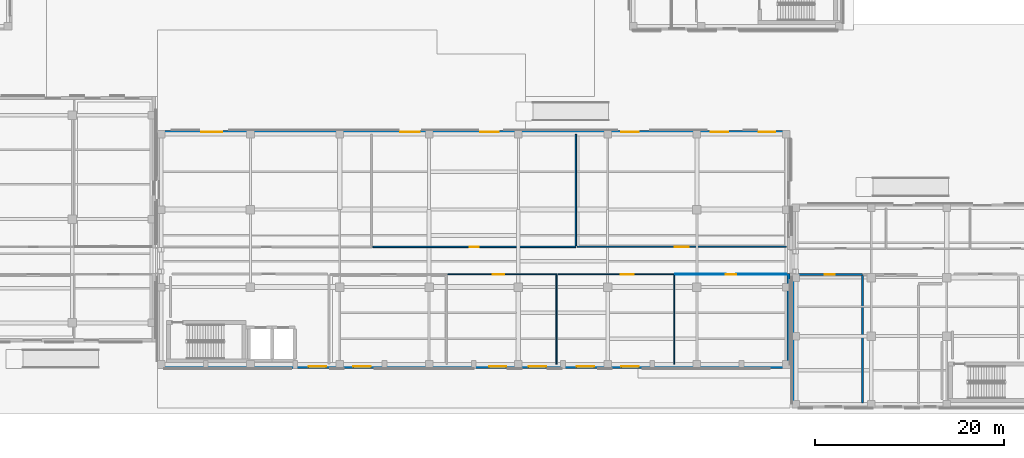
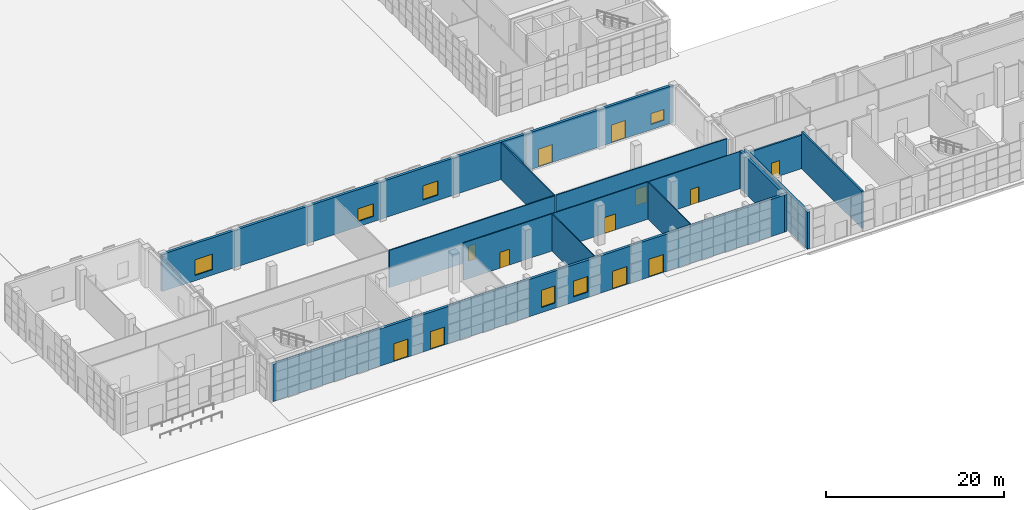
# One storey, part 10 of 40: 14 walls, 12 doors, 6 windows, 18 openings.
"""IFC4 building model written with IfcOpenShell, lengths in metres."""

from ifc_helpers import new_model, si_unit, direction, frame, frame_2d, origin, place, context, subcontext, project, spatial, rectangle, extrude, material, layer, layer_set, type_object, element, fill, save


model = new_model("IFC4")

# Units and contexts
model_context = context("Model", 3, precision=1e-05, world=origin(), true_north=direction((0.0, 1.0)))
body_context = subcontext(model_context, "Body", "Model", "MODEL_VIEW")
ifc_project = project(units=[si_unit("LENGTHUNIT", "METRE"), si_unit("AREAUNIT", "SQUARE_METRE"), si_unit("VOLUMEUNIT", "CUBIC_METRE"), si_unit("PLANEANGLEUNIT", "RADIAN"), si_unit("MASSUNIT", "GRAM", prefix="KILO")], contexts=[model_context])

# Site, building, storey
site_placement = place(None, origin())
site = spatial("IfcSite", under=ifc_project, at=site_placement, CompositionType="ELEMENT")
building_placement = place(site_placement, origin())
building = spatial("IfcBuilding", under=site, at=building_placement, Name="Qalavern Law Courts", CompositionType="ELEMENT")
storey_placement = place(building_placement, origin())
storey = spatial("IfcBuildingStorey", under=building, at=storey_placement, Name="L00", CompositionType="ELEMENT", Elevation=0.0)

# Wall, openings, doors, windows
ifc_material_1 = material(Name="Concrete C40/50", Category="concrete")
ifc_layer_1 = layer(ifc_material_1, 0.340087890625)
ifc_layer_set_1 = layer_set([ifc_layer_1], Name="Concrete C40/50")
wall_type_1 = type_object("IfcWallType", Name="ENV-EW-340", PredefinedType="SOLIDWALL", material=ifc_layer_set_1)
wall_1_placement = place(storey_placement, frame((34.554931640625, 5.3701171875, 0.0), z_axis=(0.0, 0.0, 1.0), x_axis=(1.0, 0.0, 0.0)))
wall_1 = element("IfcWall", 1, at=wall_1_placement, inside=storey, type_object=wall_type_1, Name="V2 exterior wall L00 south 1", PredefinedType="SOLIDWALL", context=body_context, shape_type="SweptSolid", body=[
    extrude(rectangle(XDim=66.31005859375, YDim=0.340087890625, at=frame_2d((33.155029296875, 0.0))), origin(), (0.0, 0.0, 1.0), 5.10009765625),
])
opening_1_placement = place(wall_1_placement, frame((15.679931640625, 0.0, 0.0)))
opening_1 = element("IfcOpeningElement", 2, at=opening_1_placement, cuts=wall_1, Name="Opening ED-HALL-01", PredefinedType="OPENING", context=body_context, shape_type="SweptSolid", body=[
    extrude(rectangle(XDim=1.85009765625, YDim=2.449951171875, at=frame_2d((0.925048828125, 1.22509765625))), frame((0.0, 0.18505859375, 0.0), z_axis=(0.0, -1.0, 0.0), x_axis=(1.0, 0.0, 0.0)), (0.0, 0.0, 1.0), 0.369873046875),
])
opening_2_placement = place(wall_1_placement, frame((20.409912109375, 0.0, 0.0)))
opening_2 = element("IfcOpeningElement", 3, at=opening_2_placement, cuts=wall_1, Name="Opening ED-HALL-02", PredefinedType="OPENING", context=body_context, shape_type="SweptSolid", body=[
    extrude(rectangle(XDim=1.85009765625, YDim=2.449951171875, at=frame_2d((0.925048828125, 1.22509765625))), frame((0.0, 0.18505859375, 0.0), z_axis=(0.0, -1.0, 0.0), x_axis=(1.0, 0.0, 0.0)), (0.0, 0.0, 1.0), 0.369873046875),
])
opening_3_placement = place(wall_1_placement, frame((44.050048828125, 0.0, 0.0)))
opening_3 = element("IfcOpeningElement", 4, at=opening_3_placement, cuts=wall_1, Name="Opening ED-HALL-03", PredefinedType="OPENING", context=body_context, shape_type="SweptSolid", body=[
    extrude(rectangle(XDim=1.85009765625, YDim=2.449951171875, at=frame_2d((0.925048828125, 1.22509765625))), frame((0.0, 0.18505859375, 0.0), z_axis=(0.0, -1.0, 0.0), x_axis=(1.0, 0.0, 0.0)), (0.0, 0.0, 1.0), 0.369873046875),
])
opening_4_placement = place(wall_1_placement, frame((48.780029296875, 0.0, 0.0)))
opening_4 = element("IfcOpeningElement", 5, at=opening_4_placement, cuts=wall_1, Name="Opening ED-HALL-04", PredefinedType="OPENING", context=body_context, shape_type="SweptSolid", body=[
    extrude(rectangle(XDim=1.85009765625, YDim=2.449951171875, at=frame_2d((0.925048828125, 1.22509765625))), frame((0.0, 0.18505859375, 0.0), z_axis=(0.0, -1.0, 0.0), x_axis=(1.0, 0.0, 0.0)), (0.0, 0.0, 1.0), 0.369873046875),
])
opening_5_placement = place(wall_1_placement, frame((34.800048828125, 0.0, 0.719970703125)))
opening_5 = element("IfcOpeningElement", 6, at=opening_5_placement, cuts=wall_1, Name="Opening WN-35", PredefinedType="OPENING", context=body_context, shape_type="SweptSolid", body=[
    extrude(rectangle(XDim=1.800048828125, YDim=2.35009765625, at=frame_2d((0.89990234375, 1.175048828125))), frame((0.0, 0.18505859375, 0.0), z_axis=(0.0, -1.0, 0.0), x_axis=(1.0, 0.0, 0.0)), (0.0, 0.0, 1.0), 0.369873046875),
])
opening_6_placement = place(wall_1_placement, frame((38.97509765625, 0.0, 0.719970703125)))
opening_6 = element("IfcOpeningElement", 7, at=opening_6_placement, cuts=wall_1, Name="Opening WN-29", PredefinedType="OPENING", context=body_context, shape_type="SweptSolid", body=[
    extrude(rectangle(XDim=1.85009765625, YDim=2.14990234375, at=frame_2d((0.925048828125, 1.074951171875))), frame((0.0, 0.18505859375, 0.0), z_axis=(0.0, -1.0, 0.0), x_axis=(1.0, 0.0, 0.0)), (0.0, 0.0, 1.0), 0.369873046875),
])
ifc_material_2 = material(Name="Thermally broken anodised aluminium and laminated safety glass", Category="aluminium")
door_type_1 = type_object("IfcDoorType", Name="ENV-ED-1850x2450", OperationType="DOUBLE_DOOR_SINGLE_SWING", PredefinedType="DOOR", material=ifc_material_2)
door_1_placement = place(opening_1_placement, frame((1.85009765625, 0.0, 0.0), z_axis=(0.0, 0.0, 1.0), x_axis=(-1.0, 0.0, 0.0)))
door_1 = element("IfcDoor", 8, at=door_1_placement, inside=storey, type_object=door_type_1, Name="Ground pedestrian exit door ED-HALL-01", OperationType="DOUBLE_DOOR_SINGLE_SWING", OverallHeight=2.449951171875, OverallWidth=1.85009765625, PredefinedType="DOOR", context=body_context, shape_type="SweptSolid", body=[
    extrude(rectangle(XDim=1.85009765625, YDim=2.449951171875, at=frame_2d((0.925048828125, 1.22509765625))), frame((0.0, 0.02490234375, 0.0), z_axis=(0.0, -1.0, 0.0), x_axis=(1.0, 0.0, 0.0)), (0.0, 0.0, 1.0), 0.050048828125),
])
fill(opening_1, door_1)
door_2_placement = place(opening_2_placement, frame((1.85009765625, 0.0, 0.0), z_axis=(0.0, 0.0, 1.0), x_axis=(-1.0, 0.0, 0.0)))
door_2 = element("IfcDoor", 9, at=door_2_placement, inside=storey, type_object=door_type_1, Name="Ground pedestrian exit door ED-HALL-02", OperationType="DOUBLE_DOOR_SINGLE_SWING", OverallHeight=2.449951171875, OverallWidth=1.85009765625, PredefinedType="DOOR", context=body_context, shape_type="SweptSolid", body=[
    extrude(rectangle(XDim=1.85009765625, YDim=2.449951171875, at=frame_2d((0.925048828125, 1.22509765625))), frame((0.0, 0.02490234375, 0.0), z_axis=(0.0, -1.0, 0.0), x_axis=(1.0, 0.0, 0.0)), (0.0, 0.0, 1.0), 0.050048828125),
])
fill(opening_2, door_2)
door_3_placement = place(opening_3_placement, frame((1.85009765625, 0.0, 0.0), z_axis=(0.0, 0.0, 1.0), x_axis=(-1.0, 0.0, 0.0)))
door_3 = element("IfcDoor", 10, at=door_3_placement, inside=storey, type_object=door_type_1, Name="Ground pedestrian exit door ED-HALL-03", OperationType="DOUBLE_DOOR_SINGLE_SWING", OverallHeight=2.449951171875, OverallWidth=1.85009765625, PredefinedType="DOOR", context=body_context, shape_type="SweptSolid", body=[
    extrude(rectangle(XDim=1.85009765625, YDim=2.449951171875, at=frame_2d((0.925048828125, 1.22509765625))), frame((0.0, 0.02490234375, 0.0), z_axis=(0.0, -1.0, 0.0), x_axis=(1.0, 0.0, 0.0)), (0.0, 0.0, 1.0), 0.050048828125),
])
fill(opening_3, door_3)
door_4_placement = place(opening_4_placement, frame((1.85009765625, 0.0, 0.0), z_axis=(0.0, 0.0, 1.0), x_axis=(-1.0, 0.0, 0.0)))
door_4 = element("IfcDoor", 11, at=door_4_placement, inside=storey, type_object=door_type_1, Name="Ground pedestrian exit door ED-HALL-04", OperationType="DOUBLE_DOOR_SINGLE_SWING", OverallHeight=2.449951171875, OverallWidth=1.85009765625, PredefinedType="DOOR", context=body_context, shape_type="SweptSolid", body=[
    extrude(rectangle(XDim=1.85009765625, YDim=2.449951171875, at=frame_2d((0.925048828125, 1.22509765625))), frame((0.0, 0.02490234375, 0.0), z_axis=(0.0, -1.0, 0.0), x_axis=(1.0, 0.0, 0.0)), (0.0, 0.0, 1.0), 0.050048828125),
])
fill(opening_4, door_4)
ifc_material_3 = material(Name="Anodised aluminium frame with low-E double glazing", Category="aluminium")
window_type_1 = type_object("IfcWindowType", Name="ENV-WIN-1800x2350", PartitioningType="SINGLE_PANEL", PredefinedType="WINDOW", material=ifc_material_3)
window_1_placement = place(opening_5_placement, origin())
window_1 = element("IfcWindow", 12, at=window_1_placement, inside=storey, type_object=window_type_1, Name="V2 window L00 south 9", OverallHeight=2.35009765625, OverallWidth=1.800048828125, PartitioningType="SINGLE_PANEL", PredefinedType="WINDOW", context=body_context, shape_type="SweptSolid", body=[
    extrude(rectangle(XDim=1.800048828125, YDim=2.35009765625, at=frame_2d((0.89990234375, 1.175048828125))), frame((0.0, 0.030029296875, 0.0), z_axis=(0.0, -1.0, 0.0), x_axis=(1.0, 0.0, 0.0)), (0.0, 0.0, 1.0), 0.06005859375),
])
fill(opening_5, window_1)
window_type_2 = type_object("IfcWindowType", Name="ENV-WIN-1850x2150", PartitioningType="SINGLE_PANEL", PredefinedType="WINDOW", material=ifc_material_3)
window_2_placement = place(opening_6_placement, origin())
window_2 = element("IfcWindow", 13, at=window_2_placement, inside=storey, type_object=window_type_2, Name="V2 window L00 south 10", OverallHeight=2.14990234375, OverallWidth=1.85009765625, PartitioningType="SINGLE_PANEL", PredefinedType="WINDOW", context=body_context, shape_type="SweptSolid", body=[
    extrude(rectangle(XDim=1.85009765625, YDim=2.14990234375, at=frame_2d((0.925048828125, 1.074951171875))), frame((0.0, 0.030029296875, 0.0), z_axis=(0.0, -1.0, 0.0), x_axis=(1.0, 0.0, 0.0)), (0.0, 0.0, 1.0), 0.06005859375),
])
fill(opening_6, window_2)

# Wall
wall_2_placement = place(storey_placement, frame((101.030029296875, 5.199951171875, 0.0), z_axis=(0.0, 0.0, 1.0), x_axis=(0.0, 1.0, 0.0)))
element("IfcWall", 14, at=wall_2_placement, inside=storey, type_object=wall_type_1, Name="V2 exterior wall L00 east 1", PredefinedType="SOLIDWALL", context=body_context, shape_type="SweptSolid", body=[
    extrude(rectangle(XDim=10.050048828125, YDim=0.340087890625, at=frame_2d((5.02490234375, 0.0))), origin(), (0.0, 0.0, 1.0), 5.10009765625),
])

# Wall, openings, doors, windows
wall_3_placement = place(storey_placement, frame((100.864990234375, 30.22998046875, 0.0), z_axis=(0.0, 0.0, 1.0), x_axis=(-1.0, 0.0, 0.0)))
wall_3 = element("IfcWall", 15, at=wall_3_placement, inside=storey, type_object=wall_type_1, Name="V2 exterior wall L00 north 1", PredefinedType="SOLIDWALL", context=body_context, shape_type="SweptSolid", body=[
    extrude(rectangle(XDim=66.31005859375, YDim=0.340087890625, at=frame_2d((33.155029296875, 0.0))), origin(), (0.0, 0.0, 1.0), 5.10009765625),
])
opening_7_placement = place(wall_3_placement, frame((15.679931640625, 0.0, 0.0)))
opening_7 = element("IfcOpeningElement", 16, at=opening_7_placement, cuts=wall_3, Name="Opening ED-COURT-V2A", PredefinedType="OPENING", context=body_context, shape_type="SweptSolid", body=[
    extrude(rectangle(XDim=1.85009765625, YDim=2.449951171875, at=frame_2d((0.925048828125, 1.22509765625))), frame((0.0, 0.18505859375, 0.0), z_axis=(0.0, -1.0, 0.0), x_axis=(1.0, 0.0, 0.0)), (0.0, 0.0, 1.0), 0.369873046875),
])
opening_8_placement = place(wall_3_placement, frame((6.22998046875, 0.0, 0.0)))
opening_8 = element("IfcOpeningElement", 17, at=opening_8_placement, cuts=wall_3, Name="Opening ED-COURT-V2B", PredefinedType="OPENING", context=body_context, shape_type="SweptSolid", body=[
    extrude(rectangle(XDim=1.85009765625, YDim=2.449951171875, at=frame_2d((0.925048828125, 1.22509765625))), frame((0.0, 0.18505859375, 0.0), z_axis=(0.0, -1.0, 0.0), x_axis=(1.0, 0.0, 0.0)), (0.0, 0.0, 1.0), 0.369873046875),
])
opening_9_placement = place(wall_3_placement, frame((1.25, 0.0, 0.719970703125)))
opening_9 = element("IfcOpeningElement", 18, at=opening_9_placement, cuts=wall_3, Name="Opening WN-05", PredefinedType="OPENING", context=body_context, shape_type="SweptSolid", body=[
    extrude(rectangle(XDim=1.699951171875, YDim=1.5, at=frame_2d((0.85009765625, 0.75))), frame((0.0, 0.18505859375, 0.0), z_axis=(0.0, -1.0, 0.0), x_axis=(1.0, 0.0, 0.0)), (0.0, 0.0, 1.0), 0.369873046875),
])
opening_10_placement = place(wall_3_placement, frame((30.52490234375, 0.0, 0.719970703125)))
opening_10 = element("IfcOpeningElement", 19, at=opening_10_placement, cuts=wall_3, Name="Opening WN-22", PredefinedType="OPENING", context=body_context, shape_type="SweptSolid", body=[
    extrude(rectangle(XDim=1.949951171875, YDim=1.949951171875, at=frame_2d((0.97509765625, 0.97509765625))), frame((0.0, 0.18505859375, 0.0), z_axis=(0.0, -1.0, 0.0), x_axis=(1.0, 0.0, 0.0)), (0.0, 0.0, 1.0), 0.369873046875),
])
opening_11_placement = place(wall_3_placement, frame((38.875, 0.0, 0.719970703125)))
opening_11 = element("IfcOpeningElement", 20, at=opening_11_placement, cuts=wall_3, Name="Opening WN-15", PredefinedType="OPENING", context=body_context, shape_type="SweptSolid", body=[
    extrude(rectangle(XDim=2.050048828125, YDim=1.75, at=frame_2d((1.02490234375, 0.875))), frame((0.0, 0.18505859375, 0.0), z_axis=(0.0, -1.0, 0.0), x_axis=(1.0, 0.0, 0.0)), (0.0, 0.0, 1.0), 0.369873046875),
])
opening_12_placement = place(wall_3_placement, frame((59.77490234375, 0.0, 0.719970703125)))
opening_12 = element("IfcOpeningElement", 21, at=opening_12_placement, cuts=wall_3, Name="Opening WN-31", PredefinedType="OPENING", context=body_context, shape_type="SweptSolid", body=[
    extrude(rectangle(XDim=2.25, YDim=2.14990234375, at=frame_2d((1.125, 1.074951171875))), frame((0.0, 0.18505859375, 0.0), z_axis=(0.0, -1.0, 0.0), x_axis=(1.0, 0.0, 0.0)), (0.0, 0.0, 1.0), 0.369873046875),
])
door_5_placement = place(opening_7_placement, frame((1.85009765625, 0.0, 0.0), z_axis=(0.0, 0.0, 1.0), x_axis=(-1.0, 0.0, 0.0)))
door_5 = element("IfcDoor", 22, at=door_5_placement, inside=storey, type_object=door_type_1, Name="Ground pedestrian exit door ED-COURT-V2A", OperationType="DOUBLE_DOOR_SINGLE_SWING", OverallHeight=2.449951171875, OverallWidth=1.85009765625, PredefinedType="DOOR", context=body_context, shape_type="SweptSolid", body=[
    extrude(rectangle(XDim=1.85009765625, YDim=2.449951171875, at=frame_2d((0.925048828125, 1.22509765625))), frame((0.0, 0.02490234375, 0.0), z_axis=(0.0, -1.0, 0.0), x_axis=(1.0, 0.0, 0.0)), (0.0, 0.0, 1.0), 0.050048828125),
])
fill(opening_7, door_5)
door_6_placement = place(opening_8_placement, frame((1.85009765625, 0.0, 0.0), z_axis=(0.0, 0.0, 1.0), x_axis=(-1.0, 0.0, 0.0)))
door_6 = element("IfcDoor", 23, at=door_6_placement, inside=storey, type_object=door_type_1, Name="Ground pedestrian exit door ED-COURT-V2B", OperationType="DOUBLE_DOOR_SINGLE_SWING", OverallHeight=2.449951171875, OverallWidth=1.85009765625, PredefinedType="DOOR", context=body_context, shape_type="SweptSolid", body=[
    extrude(rectangle(XDim=1.85009765625, YDim=2.449951171875, at=frame_2d((0.925048828125, 1.22509765625))), frame((0.0, 0.02490234375, 0.0), z_axis=(0.0, -1.0, 0.0), x_axis=(1.0, 0.0, 0.0)), (0.0, 0.0, 1.0), 0.050048828125),
])
fill(opening_8, door_6)
window_type_3 = type_object("IfcWindowType", Name="ENV-WIN-1700x1500", PartitioningType="SINGLE_PANEL", PredefinedType="WINDOW", material=ifc_material_3)
window_3_placement = place(opening_9_placement, origin())
window_3 = element("IfcWindow", 24, at=window_3_placement, inside=storey, type_object=window_type_3, Name="V2 window L00 north 1", OverallHeight=1.5, OverallWidth=1.699951171875, PartitioningType="SINGLE_PANEL", PredefinedType="WINDOW", context=body_context, shape_type="SweptSolid", body=[
    extrude(rectangle(XDim=1.699951171875, YDim=1.5, at=frame_2d((0.85009765625, 0.75))), frame((0.0, 0.030029296875, 0.0), z_axis=(0.0, -1.0, 0.0), x_axis=(1.0, 0.0, 0.0)), (0.0, 0.0, 1.0), 0.06005859375),
])
fill(opening_9, window_3)
window_type_4 = type_object("IfcWindowType", Name="ENV-WIN-1950x1950", PartitioningType="SINGLE_PANEL", PredefinedType="WINDOW", material=ifc_material_3)
window_4_placement = place(opening_10_placement, origin())
window_4 = element("IfcWindow", 25, at=window_4_placement, inside=storey, type_object=window_type_4, Name="V2 window L00 north 8", OverallHeight=1.949951171875, OverallWidth=1.949951171875, PartitioningType="SINGLE_PANEL", PredefinedType="WINDOW", context=body_context, shape_type="SweptSolid", body=[
    extrude(rectangle(XDim=1.949951171875, YDim=1.949951171875, at=frame_2d((0.97509765625, 0.97509765625))), frame((0.0, 0.030029296875, 0.0), z_axis=(0.0, -1.0, 0.0), x_axis=(1.0, 0.0, 0.0)), (0.0, 0.0, 1.0), 0.06005859375),
])
fill(opening_10, window_4)
window_type_5 = type_object("IfcWindowType", Name="ENV-WIN-2050x1750", PartitioningType="SINGLE_PANEL", PredefinedType="WINDOW", material=ifc_material_3)
window_5_placement = place(opening_11_placement, origin())
window_5 = element("IfcWindow", 26, at=window_5_placement, inside=storey, type_object=window_type_5, Name="V2 window L00 north 10", OverallHeight=1.75, OverallWidth=2.050048828125, PartitioningType="SINGLE_PANEL", PredefinedType="WINDOW", context=body_context, shape_type="SweptSolid", body=[
    extrude(rectangle(XDim=2.050048828125, YDim=1.75, at=frame_2d((1.02490234375, 0.875))), frame((0.0, 0.030029296875, 0.0), z_axis=(0.0, -1.0, 0.0), x_axis=(1.0, 0.0, 0.0)), (0.0, 0.0, 1.0), 0.06005859375),
])
fill(opening_11, window_5)
window_type_6 = type_object("IfcWindowType", Name="ENV-WIN-2250x2150", PartitioningType="SINGLE_PANEL", PredefinedType="WINDOW", material=ifc_material_3)
window_6_placement = place(opening_12_placement, origin())
window_6 = element("IfcWindow", 27, at=window_6_placement, inside=storey, type_object=window_type_6, Name="V2 window L00 north 15", OverallHeight=2.14990234375, OverallWidth=2.25, PartitioningType="SINGLE_PANEL", PredefinedType="WINDOW", context=body_context, shape_type="SweptSolid", body=[
    extrude(rectangle(XDim=2.25, YDim=2.14990234375, at=frame_2d((1.125, 1.074951171875))), frame((0.0, 0.030029296875, 0.0), z_axis=(0.0, -1.0, 0.0), x_axis=(1.0, 0.0, 0.0)), (0.0, 0.0, 1.0), 0.06005859375),
])
fill(opening_12, window_6)

# Wall
wall_4_placement = place(storey_placement, frame((101.590087890625, 15.25, 0.0), z_axis=(0.0, 0.0, 1.0), x_axis=(0.0, -1.0, 0.0)))
element("IfcWall", 28, at=wall_4_placement, inside=storey, type_object=wall_type_1, Name="V6 exterior wall L00 west 2", PredefinedType="SOLIDWALL", context=body_context, shape_type="SweptSolid", body=[
    extrude(rectangle(XDim=14.25, YDim=0.340087890625, at=frame_2d((7.125, 0.0))), origin(), (0.0, 0.0, 1.0), 5.10009765625),
])

# Wall, opening, door
ifc_layer_2 = layer(ifc_material_1, 0.22509765625)
ifc_layer_set_2 = layer_set([ifc_layer_2], Name="Concrete C40/50")
wall_type_2 = type_object("IfcWallType", Name="INT-FW-225", PredefinedType="PARTITIONING", material=ifc_layer_set_2)
wall_5_placement = place(storey_placement, frame((101.93994140625, 15.139892578125, 0.0), z_axis=(0.0, 0.0, 1.0), x_axis=(1.0, 0.0, 0.0)))
wall_5 = element("IfcWall", 29, at=wall_5_placement, inside=storey, type_object=wall_type_2, Name="Fire Command Room corridor partition L00", PredefinedType="PARTITIONING", context=body_context, shape_type="SweptSolid", body=[
    extrude(rectangle(XDim=6.920166015625, YDim=0.22509765625, at=frame_2d((3.4599609375, 0.0))), origin(), (0.0, 0.0, 1.0), 4.590087890625),
])
opening_13_placement = place(wall_5_placement, frame((2.929931640625, 0.0, 0.0)))
opening_13 = element("IfcOpeningElement", 30, at=opening_13_placement, cuts=wall_5, Name="Opening L00-D413", PredefinedType="OPENING", context=body_context, shape_type="SweptSolid", body=[
    extrude(rectangle(XDim=1.06005859375, YDim=2.1201171875, at=frame_2d((0.530029296875, 1.06005859375))), frame((0.0, 0.12744140625, 0.0), z_axis=(0.0, -1.0, 0.0), x_axis=(1.0, 0.0, 0.0)), (0.0, 0.0, 1.0), 0.2548828125),
])
ifc_material_4 = material(Name="Steel fire-rated lobby door", Category="steel")
door_type_2 = type_object("IfcDoorType", Name="INT-FD-1060x2120", OperationType="NOTDEFINED", PredefinedType="DOOR", material=ifc_material_4)
door_7_placement = place(opening_13_placement, frame((1.06005859375, 0.0, 0.0), z_axis=(0.0, 0.0, 1.0), x_axis=(-1.0, 0.0, 0.0)))
door_7 = element("IfcDoor", 31, at=door_7_placement, inside=storey, type_object=door_type_2, Name="Fire Command Room door L00", OperationType="SINGLE_SWING_RIGHT", OverallHeight=2.1201171875, OverallWidth=1.06005859375, PredefinedType="DOOR", context=body_context, shape_type="SweptSolid", body=[
    extrude(rectangle(XDim=1.06005859375, YDim=2.1201171875, at=frame_2d((0.530029296875, 1.06005859375))), frame((0.0, 0.02490234375, 0.0), z_axis=(0.0, -1.0, 0.0), x_axis=(1.0, 0.0, 0.0)), (0.0, 0.0, 1.0), 0.050048828125),
])
fill(opening_13, door_7)

# Wall
wall_6_placement = place(storey_placement, frame((108.860107421875, 1.5, 0.0), z_axis=(0.0, 0.0, 1.0), x_axis=(0.0, 1.0, 0.0)))
element("IfcWall", 32, at=wall_6_placement, inside=storey, type_object=wall_type_2, Name="Fire Command Room cross partition L00 east", PredefinedType="PARTITIONING", context=body_context, shape_type="SweptSolid", body=[
    extrude(rectangle(XDim=13.507568359375, YDim=0.22509765625, at=frame_2d((6.75390625, 0.0))), origin(), (0.0, 0.0, 1.0), 5.10009765625),
])

# Wall, opening, door
ifc_material_5 = material(Name="Gypsum sanitary partition")
ifc_layer_3 = layer(ifc_material_5, 0.10205078125)
ifc_layer_set_3 = layer_set([ifc_layer_3], Name="Gypsum sanitary partition")
wall_type_3 = type_object("IfcWallType", Name="INT-PW-102", PredefinedType="PARTITIONING", material=ifc_layer_set_3)
wall_7_placement = place(storey_placement, frame((89.054931640625, 15.139892578125, 0.0), z_axis=(0.0, 0.0, 1.0), x_axis=(1.0, 0.0, 0.0)))
wall_7 = element("IfcWall", 33, at=wall_7_placement, inside=storey, type_object=wall_type_3, Name="Public Cafe corridor partition L00", PredefinedType="PARTITIONING", context=body_context, shape_type="SweptSolid", body=[
    extrude(rectangle(XDim=11.76513671875, YDim=0.10205078125, at=frame_2d((5.882568359375, 0.0))), origin(), (0.0, 0.0, 1.0), 5.10009765625),
])
opening_14_placement = place(wall_7_placement, frame((5.33740234375, 0.0, 0.0)))
opening_14 = element("IfcOpeningElement", 34, at=opening_14_placement, cuts=wall_7, Name="Opening L00-D157", PredefinedType="OPENING", context=body_context, shape_type="SweptSolid", body=[
    extrude(rectangle(XDim=1.090087890625, YDim=2.1298828125, at=frame_2d((0.544921875, 1.06494140625))), frame((0.0, 0.06591796875, 0.0), z_axis=(0.0, -1.0, 0.0), x_axis=(1.0, 0.0, 0.0)), (0.0, 0.0, 1.0), 0.1318359375),
])
ifc_material_6 = material(Name="Solid oak Senior Judges' Chambers door")
door_type_3 = type_object("IfcDoorType", Name="INT-ID-1090x2130", OperationType="NOTDEFINED", PredefinedType="DOOR", material=ifc_material_6)
door_8_placement = place(opening_14_placement, frame((1.090087890625, 0.0, 0.0), z_axis=(0.0, 0.0, 1.0), x_axis=(-1.0, 0.0, 0.0)))
door_8 = element("IfcDoor", 35, at=door_8_placement, inside=storey, type_object=door_type_3, Name="Public Cafe door L00", OperationType="SINGLE_SWING_RIGHT", OverallHeight=2.1298828125, OverallWidth=1.090087890625, PredefinedType="DOOR", context=body_context, shape_type="SweptSolid", body=[
    extrude(rectangle(XDim=1.090087890625, YDim=2.1298828125, at=frame_2d((0.544921875, 1.06494140625))), frame((0.0, 0.02490234375, 0.0), z_axis=(0.0, -1.0, 0.0), x_axis=(1.0, 0.0, 0.0)), (0.0, 0.0, 1.0), 0.050048828125),
])
fill(opening_14, door_8)

ifc_material_7 = material(Name="Gypsum stud partition")
ifc_layer_4 = layer(ifc_material_7, 0.112060546875)
ifc_layer_set_4 = layer_set([ifc_layer_4], Name="Gypsum stud partition")
wall_type_4 = type_object("IfcWallType", Name="INT-PW-112", PredefinedType="PARTITIONING", material=ifc_layer_set_4)
wall_8_placement = place(storey_placement, frame((76.60302734375, 15.139892578125, 0.0), z_axis=(0.0, 0.0, 1.0), x_axis=(1.0, 0.0, 0.0)))
wall_8 = element("IfcWall", 36, at=wall_8_placement, inside=storey, type_object=wall_type_4, Name="Jury Assembly Hall corridor partition L00", PredefinedType="PARTITIONING", context=body_context, shape_type="SweptSolid", body=[
    extrude(rectangle(XDim=12.33203125, YDim=0.112060546875, at=frame_2d((6.166015625, 0.0))), origin(), (0.0, 0.0, 1.0), 5.10009765625),
])
opening_15_placement = place(wall_8_placement, frame((6.666015625, 0.0, 0.0)))
opening_15 = element("IfcOpeningElement", 37, at=opening_15_placement, cuts=wall_8, Name="Opening L00-D156", PredefinedType="OPENING", context=body_context, shape_type="SweptSolid", body=[
    extrude(rectangle(XDim=1.39990234375, YDim=2.199951171875, at=frame_2d((0.699951171875, 1.10009765625))), frame((0.0, 0.07080078125, 0.0), z_axis=(0.0, -1.0, 0.0), x_axis=(1.0, 0.0, 0.0)), (0.0, 0.0, 1.0), 0.141845703125),
])
ifc_material_8 = material(Name="Oak double Case Registry door")
door_type_4 = type_object("IfcDoorType", Name="INT-ID-1400x2200", OperationType="DOUBLE_DOOR_SINGLE_SWING", PredefinedType="DOOR", material=ifc_material_8)
door_9_placement = place(opening_15_placement, frame((1.39990234375, 0.0, 0.0), z_axis=(0.0, 0.0, 1.0), x_axis=(-1.0, 0.0, 0.0)))
door_9 = element("IfcDoor", 38, at=door_9_placement, inside=storey, type_object=door_type_4, Name="Jury Assembly Hall door L00", OperationType="DOUBLE_DOOR_SINGLE_SWING", OverallHeight=2.199951171875, OverallWidth=1.39990234375, PredefinedType="DOOR", context=body_context, shape_type="SweptSolid", body=[
    extrude(rectangle(XDim=1.39990234375, YDim=2.199951171875, at=frame_2d((0.699951171875, 1.10009765625))), frame((0.0, 0.02490234375, 0.0), z_axis=(0.0, -1.0, 0.0), x_axis=(1.0, 0.0, 0.0)), (0.0, 0.0, 1.0), 0.050048828125),
])
fill(opening_15, door_9)

# Wall
wall_9_placement = place(storey_placement, frame((88.93505859375, 5.639892578125, 0.0), z_axis=(0.0, 0.0, 1.0), x_axis=(0.0, 1.0, 0.0)))
element("IfcWall", 39, at=wall_9_placement, inside=storey, type_object=wall_type_4, Name="Jury Assembly Hall cross partition L00 east", PredefinedType="PARTITIONING", context=body_context, shape_type="SweptSolid", body=[
    extrude(rectangle(XDim=9.424072265625, YDim=0.112060546875, at=frame_2d((4.7119140625, 0.0))), origin(), (0.0, 0.0, 1.0), 5.10009765625),
])

# Wall, opening, door
ifc_layer_5 = layer(ifc_material_7, 0.1220703125)
ifc_layer_set_5 = layer_set([ifc_layer_5], Name="Gypsum stud partition")
wall_type_5 = type_object("IfcWallType", Name="INT-PW-122", PredefinedType="PARTITIONING", material=ifc_layer_set_5)
wall_10_placement = place(storey_placement, frame((64.97509765625, 15.139892578125, 0.0), z_axis=(0.0, 0.0, 1.0), x_axis=(1.0, 0.0, 0.0)))
wall_10 = element("IfcWall", 40, at=wall_10_placement, inside=storey, type_object=wall_type_5, Name="One-Window Case Registry corridor partition L00", PredefinedType="PARTITIONING", context=body_context, shape_type="SweptSolid", body=[
    extrude(rectangle(XDim=11.5078125, YDim=0.1220703125, at=frame_2d((5.75390625, 0.0))), origin(), (0.0, 0.0, 1.0), 5.10009765625),
])
opening_16_placement = place(wall_10_placement, frame((4.743896484375, 0.0, 0.0)))
opening_16 = element("IfcOpeningElement", 41, at=opening_16_placement, cuts=wall_10, Name="Opening L00-D155", PredefinedType="OPENING", context=body_context, shape_type="SweptSolid", body=[
    extrude(rectangle(XDim=1.219970703125, YDim=2.179931640625, at=frame_2d((0.60986328125, 1.08984375))), frame((0.0, 0.075927734375, 0.0), z_axis=(0.0, -1.0, 0.0), x_axis=(1.0, 0.0, 0.0)), (0.0, 0.0, 1.0), 0.15185546875),
])
ifc_material_9 = material(Name="Wide oak Plenary Boardroom door")
door_type_5 = type_object("IfcDoorType", Name="INT-ID-1220x2180", OperationType="NOTDEFINED", PredefinedType="DOOR", material=ifc_material_9)
door_10_placement = place(opening_16_placement, frame((1.219970703125, 0.0, 0.0), z_axis=(0.0, 0.0, 1.0), x_axis=(-1.0, 0.0, 0.0)))
door_10 = element("IfcDoor", 42, at=door_10_placement, inside=storey, type_object=door_type_5, Name="One-Window Case Registry door L00", OperationType="SINGLE_SWING_LEFT", OverallHeight=2.179931640625, OverallWidth=1.219970703125, PredefinedType="DOOR", context=body_context, shape_type="SweptSolid", body=[
    extrude(rectangle(XDim=1.219970703125, YDim=2.179931640625, at=frame_2d((0.60986328125, 1.08984375))), frame((0.0, 0.02490234375, 0.0), z_axis=(0.0, -1.0, 0.0), x_axis=(1.0, 0.0, 0.0)), (0.0, 0.0, 1.0), 0.050048828125),
])
fill(opening_16, door_10)

# Wall
wall_11_placement = place(storey_placement, frame((76.48291015625, 5.639892578125, 0.0), z_axis=(0.0, 0.0, 1.0), x_axis=(0.0, 1.0, 0.0)))
element("IfcWall", 43, at=wall_11_placement, inside=storey, type_object=wall_type_5, Name="One-Window Case Registry cross partition L00 east", PredefinedType="PARTITIONING", context=body_context, shape_type="SweptSolid", body=[
    extrude(rectangle(XDim=9.419189453125, YDim=0.1220703125, at=frame_2d((4.70947265625, 0.0))), origin(), (0.0, 0.0, 1.0), 5.10009765625),
])

# Wall, opening, door
ifc_layer_6 = layer(ifc_material_7, 0.14208984375)
ifc_layer_set_6 = layer_set([ifc_layer_6], Name="Gypsum stud partition")
wall_type_6 = type_object("IfcWallType", Name="INT-PW-142", PredefinedType="PARTITIONING", material=ifc_layer_set_6)
wall_12_placement = place(storey_placement, frame((78.64892578125, 18.06005859375, 0.0), z_axis=(0.0, 0.0, 1.0), x_axis=(1.0, 0.0, 0.0)))
wall_12 = element("IfcWall", 44, at=wall_12_placement, inside=storey, type_object=wall_type_6, Name="Public Hall corridor partition L00", PredefinedType="PARTITIONING", context=body_context, shape_type="SweptSolid", body=[
    extrude(rectangle(XDim=22.171142578125, YDim=0.14208984375, at=frame_2d((11.08544921875, 0.0))), origin(), (0.0, 0.0, 1.0), 5.10009765625),
])
opening_17_placement = place(wall_12_placement, frame((10.33544921875, 0.0, 0.0)))
opening_17 = element("IfcOpeningElement", 45, at=opening_17_placement, cuts=wall_12, Name="Opening L00-D160", PredefinedType="OPENING", context=body_context, shape_type="SweptSolid", body=[
    extrude(rectangle(XDim=1.5, YDim=2.25, at=frame_2d((0.75, 1.125))), frame((0.0, 0.0859375, 0.0), z_axis=(0.0, -1.0, 0.0), x_axis=(1.0, 0.0, 0.0)), (0.0, 0.0, 1.0), 0.171875),
])
ifc_material_10 = material(Name="Acoustic oak double Jury Assembly door")
door_type_6 = type_object("IfcDoorType", Name="INT-ID-1500x2250", OperationType="DOUBLE_DOOR_SINGLE_SWING", PredefinedType="DOOR", material=ifc_material_10)
door_11_placement = place(opening_17_placement, origin())
door_11 = element("IfcDoor", 46, at=door_11_placement, inside=storey, type_object=door_type_6, Name="Public Hall door L00", OperationType="DOUBLE_DOOR_SINGLE_SWING", OverallHeight=2.25, OverallWidth=1.5, PredefinedType="DOOR", context=body_context, shape_type="SweptSolid", body=[
    extrude(rectangle(XDim=1.5, YDim=2.25, at=frame_2d((0.75, 1.125))), frame((0.0, 0.02490234375, 0.0), z_axis=(0.0, -1.0, 0.0), x_axis=(1.0, 0.0, 0.0)), (0.0, 0.0, 1.0), 0.050048828125),
])
fill(opening_17, door_11)

ifc_layer_7 = layer(ifc_material_7, 0.152099609375)
ifc_layer_set_7 = layer_set([ifc_layer_7], Name="Gypsum stud partition")
wall_type_7 = type_object("IfcWallType", Name="INT-PW-152", PredefinedType="PARTITIONING", material=ifc_layer_set_7)
wall_13_placement = place(storey_placement, frame((57.028076171875, 18.06005859375, 0.0), z_axis=(0.0, 0.0, 1.0), x_axis=(1.0, 0.0, 0.0)))
wall_13 = element("IfcWall", 47, at=wall_13_placement, inside=storey, type_object=wall_type_7, Name="Public WC corridor partition L00", PredefinedType="PARTITIONING", context=body_context, shape_type="SweptSolid", body=[
    extrude(rectangle(XDim=21.5009765625, YDim=0.152099609375, at=frame_2d((10.75048828125, 0.0))), origin(), (0.0, 0.0, 1.0), 5.10009765625),
])
opening_18_placement = place(wall_13_placement, frame((10.280517578125, 0.0, 0.0)))
opening_18 = element("IfcOpeningElement", 48, at=opening_18_placement, cuts=wall_13, Name="Opening L00-D159", PredefinedType="OPENING", context=body_context, shape_type="SweptSolid", body=[
    extrude(rectangle(XDim=0.93994140625, YDim=2.070068359375, at=frame_2d((0.469970703125, 1.03515625))), frame((0.0, 0.0908203125, 0.0), z_axis=(0.0, -1.0, 0.0), x_axis=(1.0, 0.0, 0.0)), (0.0, 0.0, 1.0), 0.181884765625),
])
ifc_material_11 = material(Name="Accessible WC outward-clear door")
door_type_7 = type_object("IfcDoorType", Name="INT-ID-940x2070", OperationType="NOTDEFINED", PredefinedType="DOOR", material=ifc_material_11)
door_12_placement = place(opening_18_placement, origin())
door_12 = element("IfcDoor", 49, at=door_12_placement, inside=storey, type_object=door_type_7, Name="Public WC door L00", OperationType="SINGLE_SWING_RIGHT", OverallHeight=2.070068359375, OverallWidth=0.93994140625, PredefinedType="DOOR", context=body_context, shape_type="SweptSolid", body=[
    extrude(rectangle(XDim=0.93994140625, YDim=2.070068359375, at=frame_2d((0.469970703125, 1.03515625))), frame((0.0, 0.02490234375, 0.0), z_axis=(0.0, -1.0, 0.0), x_axis=(1.0, 0.0, 0.0)), (0.0, 0.0, 1.0), 0.050048828125),
])
fill(opening_18, door_12)

# Wall
wall_14_placement = place(storey_placement, frame((78.529052734375, 18.156005859375, 0.0), z_axis=(0.0, 0.0, 1.0), x_axis=(0.0, 1.0, 0.0)))
element("IfcWall", 50, at=wall_14_placement, inside=storey, type_object=wall_type_7, Name="Public WC cross partition L00 east", PredefinedType="PARTITIONING", context=body_context, shape_type="SweptSolid", body=[
    extrude(rectangle(XDim=11.803955078125, YDim=0.152099609375, at=frame_2d((5.90185546875, 0.0))), origin(), (0.0, 0.0, 1.0), 5.10009765625),
])

save(model, "model.ifc")
